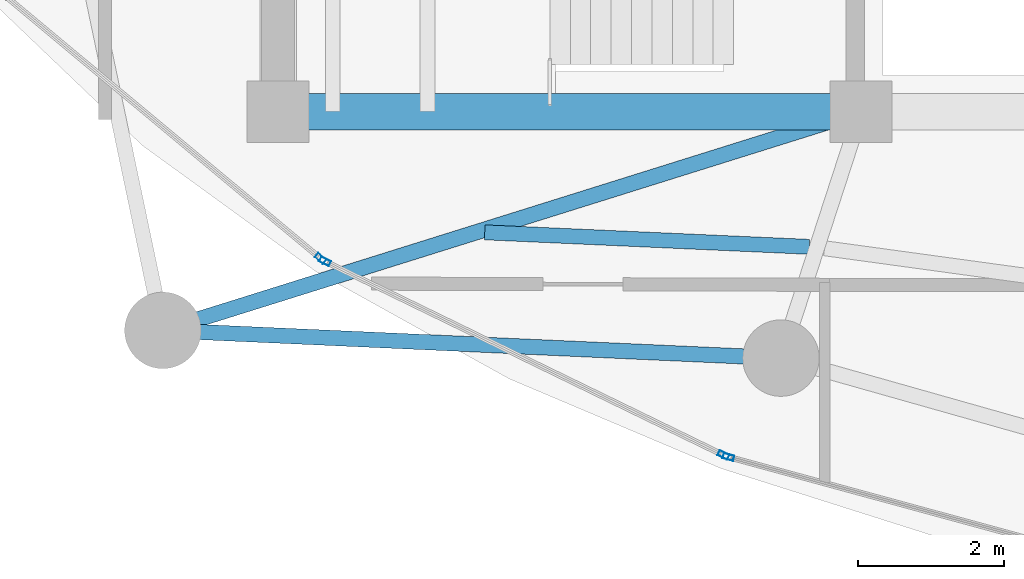
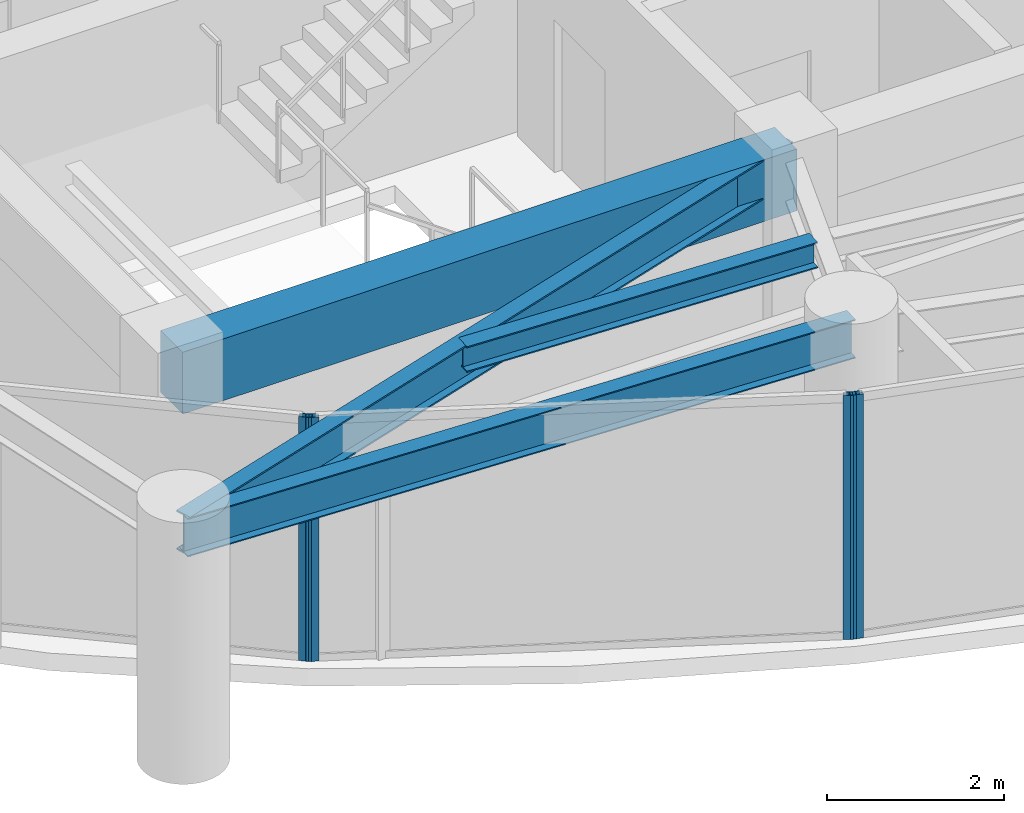
# One storey, part 2 of 31: 4 beams, 4 members, 3 elements without a shape of their own.
"""IFC4 building model written with IfcOpenShell, lengths in metres."""

from ifc_helpers import new_model, si_unit, direction, frame, origin, origin_2d, place, context, subcontext, project, spatial, rectangle, hollow_rectangle, i_section, extrude, material, layer, layer_set, material_profile, profile_set, type_object, element, aggregate, save


model = new_model("IFC4")

# Units and contexts
model_context = context("Model", 3, precision=1e-05, world=origin(), true_north=direction((0.0, 1.0)))
body_context = subcontext(model_context, "Body", "Model", "MODEL_VIEW")
ifc_project = project(units=[si_unit("LENGTHUNIT", "METRE"), si_unit("AREAUNIT", "SQUARE_METRE"), si_unit("VOLUMEUNIT", "CUBIC_METRE"), si_unit("PLANEANGLEUNIT", "RADIAN"), si_unit("MASSUNIT", "GRAM", prefix="KILO")], contexts=[model_context])

# Site, building, storey
site_placement = place(None, origin())
site = spatial("IfcSite", under=ifc_project, at=site_placement, CompositionType="ELEMENT")
building_placement = place(site_placement, origin())
building = spatial("IfcBuilding", under=site, at=building_placement, Name="Kazevale Care Tower and Concert Hall", CompositionType="ELEMENT")
storey_placement = place(building_placement, frame((0.0, 0.0, 206.39990234375)))
storey = spatial("IfcBuildingStorey", under=building, at=storey_placement, Name="L54", CompositionType="ELEMENT", Elevation=206.39990234375)

# Curtain wall, member
ifc_material_1 = material(Name="Aluminium 6063-T6 and Low-E Glass", Category="aluminium")
ifc_layer = layer(ifc_material_1, 0.179931640625)
ifc_layer_set = layer_set([ifc_layer], Name="Aluminium 6063-T6 and Low-E Glass")
curtain_wall_type = type_object("IfcCurtainWallType", Name="Sheltered Concave Balcony Curtain Wall CW-5", PredefinedType="NOTDEFINED", material=ifc_layer_set)
curtain_wall_1_placement = place(storey_placement, origin())
curtain_wall_1 = element("IfcCurtainWall", 1, at=curtain_wall_1_placement, inside=storey, type_object=curtain_wall_type, Name="cw:L54:f08", PredefinedType="NOTDEFINED")
ifc_material_2 = material(Name="Aluminium 6063-T6", Category="aluminium")
ifc_material_profile_1 = material_profile(ifc_material_2, hollow_rectangle(XDim=0.074951171875, YDim=0.14990234375, WallThickness=0.00390625, at=origin_2d()), Name="ALU75x150x4")
ifc_profile_set_1 = profile_set([ifc_material_profile_1], Name="Aluminium 6063-T6")
member_type = type_object("IfcMemberType", Name="CW-5 Mullion ALU75x150x4", PredefinedType="MULLION", material=ifc_profile_set_1)
member_1_placement = place(storey_placement, frame((28.18017578125, 18.863037109375, 0.0), z_axis=(0.0, 0.0, 1.0), x_axis=(-0.262848968947, -0.964836991167, 0.0)))
member_1 = element("IfcMember", 2, at=member_1_placement, type_object=member_type, Name="CW-5 mullion 2", PredefinedType="MULLION", context=body_context, shape_type="SweptSolid", body=[
    extrude(hollow_rectangle(XDim=0.074951171875, YDim=0.14990234375, WallThickness=0.00390625, at=origin_2d()), origin(), (0.0, 0.0, 1.0), 3.360107421875),
])
aggregate(curtain_wall_1, [member_1])

# Curtain wall, members
curtain_wall_2_placement = place(storey_placement, origin())
curtain_wall_2 = element("IfcCurtainWall", 3, at=curtain_wall_2_placement, inside=storey, type_object=curtain_wall_type, Name="cw:L54:f09", PredefinedType="NOTDEFINED")
member_2_placement = place(storey_placement, frame((28.1103515625, 18.889404296875, 0.0), z_axis=(0.0, 0.0, 1.0), x_axis=(-0.437238357087, -0.89934566163, 0.0)))
member_2 = element("IfcMember", 4, at=member_2_placement, type_object=member_type, Name="CW-5 mullion 1", PredefinedType="MULLION", context=body_context, shape_type="SweptSolid", body=[
    extrude(hollow_rectangle(XDim=0.074951171875, YDim=0.14990234375, WallThickness=0.00390625, at=origin_2d()), origin(), (0.0, 0.0, 1.0), 3.360107421875),
])
member_3_placement = place(storey_placement, frame((22.644775390625, 21.546630859375, 0.0), z_axis=(0.0, 0.0, 1.0), x_axis=(-0.437238357087, -0.89934566163, 0.0)))
member_3 = element("IfcMember", 5, at=member_3_placement, type_object=member_type, Name="CW-5 mullion 2", PredefinedType="MULLION", context=body_context, shape_type="SweptSolid", body=[
    extrude(hollow_rectangle(XDim=0.074951171875, YDim=0.14990234375, WallThickness=0.00390625, at=origin_2d()), origin(), (0.0, 0.0, 1.0), 3.360107421875),
])
aggregate(curtain_wall_2, [member_2, member_3])

# Curtain wall, member
curtain_wall_3_placement = place(storey_placement, origin())
curtain_wall_3 = element("IfcCurtainWall", 6, at=curtain_wall_3_placement, inside=storey, type_object=curtain_wall_type, Name="cw:L54:f10", PredefinedType="NOTDEFINED")
member_4_placement = place(storey_placement, frame((22.582275390625, 21.5869140625, 0.0), z_axis=(0.0, 0.0, 1.0), x_axis=(-0.639961217204, -0.768407210062, 0.0)))
member_4 = element("IfcMember", 7, at=member_4_placement, type_object=member_type, Name="CW-5 mullion 1", PredefinedType="MULLION", context=body_context, shape_type="SweptSolid", body=[
    extrude(hollow_rectangle(XDim=0.074951171875, YDim=0.14990234375, WallThickness=0.00390625, at=origin_2d()), origin(), (0.0, 0.0, 1.0), 3.360107421875),
])
aggregate(curtain_wall_3, [member_4])

# Beams
ifc_material_3 = material(Name="Concrete C60", Category="concrete")
ifc_material_profile_2 = material_profile(ifc_material_3, rectangle(XDim=0.5, YDim=0.85009765625, at=origin_2d()), Name="RC-B500x850")
ifc_profile_set_2 = profile_set([ifc_material_profile_2], Name="Concrete C60")
beam_type_1 = type_object("IfcBeamType", Name="Core Coupling Beam RC500x850", PredefinedType="LINTEL", material=ifc_profile_set_2)
beam_1_placement = place(storey_placement, frame((22.0, 23.60009765625, 2.93505859375), z_axis=(1.0, 0.0, 0.0), x_axis=(0.0, 1.0, 0.0)))
element("IfcBeam", 8, at=beam_1_placement, inside=storey, type_object=beam_type_1, Name="beam:L54:coretie:1", PredefinedType="LINTEL", context=body_context, shape_type="SweptSolid", body=[
    extrude(rectangle(XDim=0.5, YDim=0.85009765625, at=origin_2d()), origin(), (0.0, 0.0, 1.0), 8.0),
])
ifc_material_4 = material(Name="Steel ASTM A572 Gr 50", Category="steel")
ifc_material_profile_3 = material_profile(ifc_material_4, i_section(OverallWidth=0.2119140625, OverallDepth=0.5439453125, WebThickness=0.01318359375, FlangeThickness=0.021240234375, at=origin_2d()), Name="W530x123")
ifc_profile_set_3 = profile_set([ifc_material_profile_3], Name="Steel ASTM A572 Gr 50")
beam_type_2 = type_object("IfcBeamType", Name="Radial Floor Girder W530x123", PredefinedType="BEAM", material=ifc_profile_set_3)
beam_2_placement = place(storey_placement, frame((30.0, 23.60009765625, 3.088134765625), z_axis=(-0.954303255322, -0.298839918486, 0.0), x_axis=(0.298839918486, -0.954303255322, 0.0)))
element("IfcBeam", 9, at=beam_2_placement, inside=storey, type_object=beam_type_2, Name="beam:L54:rad:10", PredefinedType="BEAM", context=body_context, shape_type="SweptSolid", body=[
    extrude(i_section(OverallWidth=0.2119140625, OverallDepth=0.5439453125, WebThickness=0.01318359375, FlangeThickness=0.021240234375, at=origin_2d()), origin(), (0.0, 0.0, 1.0), 10.038818359375),
])
ifc_material_profile_4 = material_profile(ifc_material_4, i_section(OverallWidth=0.205078125, OverallDepth=0.35400390625, WebThickness=0.009521484375, FlangeThickness=0.016845703125, at=origin_2d()), Name="W360x79")
ifc_profile_set_4 = profile_set([ifc_material_profile_4], Name="Steel ASTM A572 Gr 50")
beam_type_3 = type_object("IfcBeamType", Name="Secondary Floor Joist W360x79", PredefinedType="JOIST", material=ifc_profile_set_4)
beam_3_placement = place(storey_placement, frame((24.8359375, 21.945068359375, 3.18310546875), z_axis=(0.999003687274, -0.044627713502, 0.0), x_axis=(0.044627713502, 0.999003687274, 0.0)))
element("IfcBeam", 10, at=beam_3_placement, inside=storey, type_object=beam_type_3, Name="beam:L54:joist:10", PredefinedType="JOIST", context=body_context, shape_type="SweptSolid", body=[
    extrude(i_section(OverallWidth=0.205078125, OverallDepth=0.35400390625, WebThickness=0.009521484375, FlangeThickness=0.016845703125, at=origin_2d()), origin(), (0.0, 0.0, 1.0), 4.45849609375),
])
ifc_material_profile_5 = material_profile(ifc_material_4, i_section(OverallWidth=0.208984375, OverallDepth=0.532958984375, WebThickness=0.01025390625, FlangeThickness=0.015625, at=origin_2d()), Name="W530x92")
ifc_profile_set_5 = profile_set([ifc_material_profile_5], Name="Steel ASTM A572 Gr 50")
beam_type_4 = type_object("IfcBeamType", Name="Upper Ring Beam W530x92", PredefinedType="BEAM", material=ifc_profile_set_5)
beam_4_placement = place(storey_placement, frame((20.419921875, 20.60009765625, 3.093505859375), z_axis=(0.998996808771, -0.044781425441, 0.0), x_axis=(0.044781425441, 0.998996808771, 0.0)))
element("IfcBeam", 11, at=beam_4_placement, inside=storey, type_object=beam_type_4, Name="beam:L54:ring:10", PredefinedType="BEAM", context=body_context, shape_type="SweptSolid", body=[
    extrude(i_section(OverallWidth=0.208984375, OverallDepth=0.532958984375, WebThickness=0.01025390625, FlangeThickness=0.015625, at=origin_2d()), origin(), (0.0, 0.0, 1.0), 8.488525390625),
])

save(model, "model.ifc")
